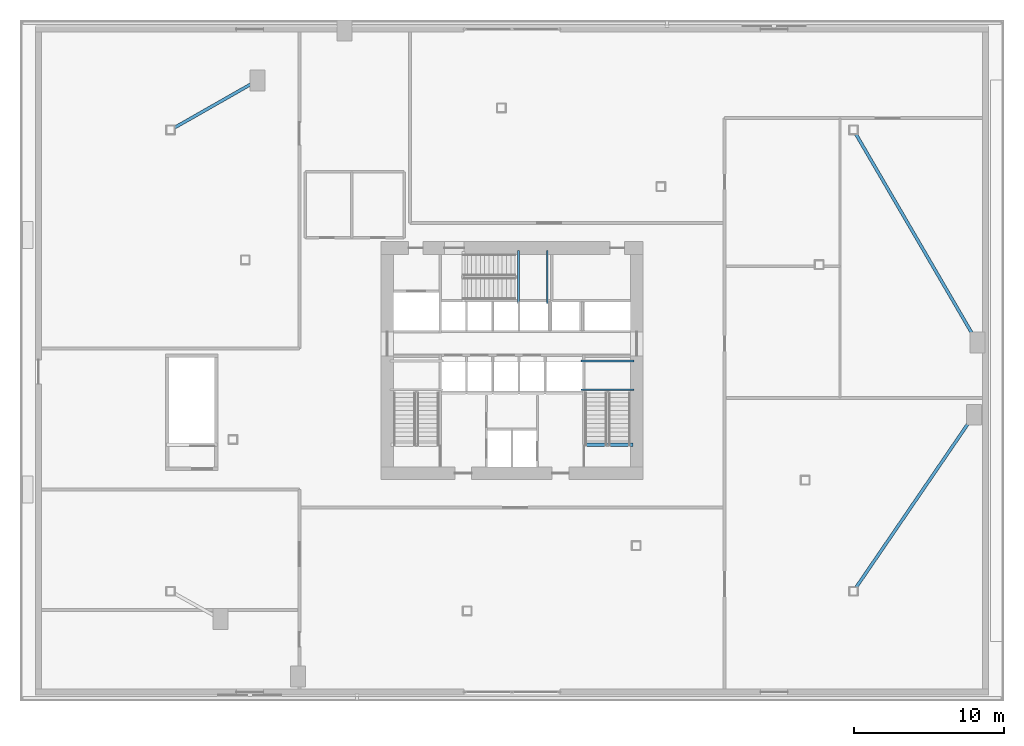
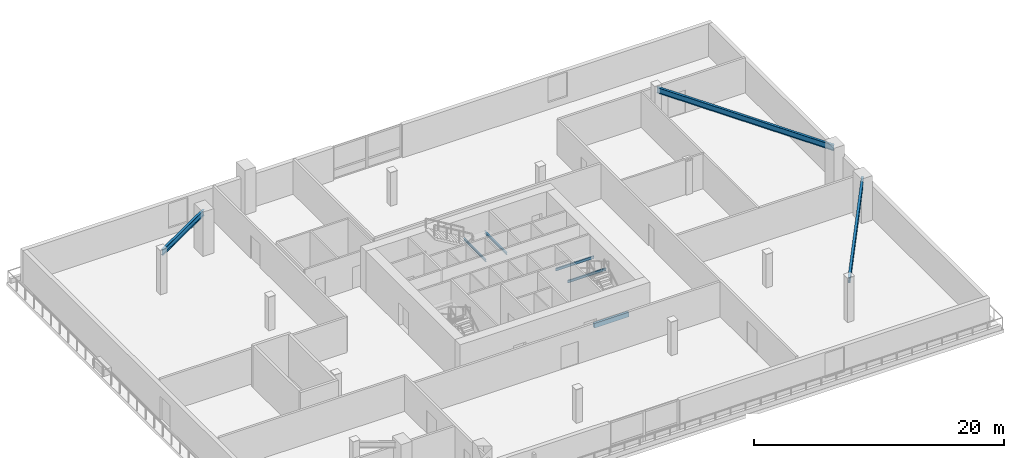
# One storey, part 5 of 16: 8 beams.
"""IFC4 building model written with IfcOpenShell, lengths in metres."""

from ifc_helpers import new_model, si_unit, direction, frame, origin, origin_2d, place, context, subcontext, project, spatial, rectangle, i_section, extrude, source, transform, mapped, material, material_profile, profile_set, type_object, element, save


model = new_model("IFC4")

# Units and contexts
model_context = context("Model", 3, precision=1e-05, world=origin(), true_north=direction((0.0, 1.0)))
body_context = subcontext(model_context, "Body", "Model", "MODEL_VIEW")
ifc_project = project(units=[si_unit("LENGTHUNIT", "METRE"), si_unit("AREAUNIT", "SQUARE_METRE"), si_unit("VOLUMEUNIT", "CUBIC_METRE"), si_unit("PLANEANGLEUNIT", "RADIAN"), si_unit("MASSUNIT", "GRAM", prefix="KILO")], contexts=[model_context])

# Site, building, storey
site_placement = place(None, origin())
site = spatial("IfcSite", under=ifc_project, at=site_placement, CompositionType="ELEMENT")
building_placement = place(site_placement, origin())
building = spatial("IfcBuilding", under=site, at=building_placement, Name="Olszyna Solenne Hotel", CompositionType="ELEMENT")
storey_placement = place(building_placement, frame((0.0, 0.0, 20.10009765625)))
storey = spatial("IfcBuildingStorey", under=building, at=storey_placement, Name="L04", CompositionType="ELEMENT", Elevation=20.10009765625)

# Beams
ifc_material_1 = material(Name="Steel S355J2", Category="steel")
ifc_material_profile_1 = material_profile(ifc_material_1, i_section(OverallWidth=0.2099609375, OverallDepth=0.550048828125, WebThickness=0.010986328125, FlangeThickness=0.01708984375, at=origin_2d()), Name="IPE 550", Category="load-bearing")
ifc_profile_set_1 = profile_set([ifc_material_profile_1], Name="Steel S355J2")
beam_type_1 = type_object("IfcBeamType", Name="BM-F2", PredefinedType="BEAM", material=ifc_profile_set_1)
shared_shape_1 = source(origin(), body_context, "Body", "SweptSolid", [
    extrude(i_section(OverallWidth=0.2099609375, OverallDepth=0.550048828125, WebThickness=0.010986328125, FlangeThickness=0.01708984375, at=origin_2d()), origin(), (0.0, 0.0, 1.0), 14.1162109375),
])
beam_1_placement = place(storey_placement, frame((60.84521484375, 11.26611328125, 3.804931640625), z_axis=(0.564440227012, 0.825473942733, 0.0), x_axis=(-0.825473942733, 0.564440227012, 0.0)))
element("IfcBeam", 1, at=beam_1_placement, inside=storey, type_object=beam_type_1, Name="Podium terrace girder BM-F2 B-L04-0143", PredefinedType="BEAM", context=body_context, shape_type="MappedRepresentation", body=[
    mapped(shared_shape_1, transform((0.0, 0.0, 0.0), x_axis=(1.0, 0.0, 0.0), y_axis=(0.0, 1.0, 0.0), z_axis=(0.0, 0.0, 1.0), scale=1.0)),
])
shared_shape_2 = source(origin(), body_context, "Body", "SweptSolid", [
    extrude(i_section(OverallWidth=0.2099609375, OverallDepth=0.550048828125, WebThickness=0.010986328125, FlangeThickness=0.01708984375, at=origin_2d()), origin(), (0.0, 0.0, 1.0), 16.271484375),
])
beam_2_placement = place(storey_placement, frame((60.84033203125, 41.930908203125, 3.804931640625), z_axis=(0.503453956375, -0.864022056322, 0.0), x_axis=(0.864022056322, 0.503453956375, 0.0)))
element("IfcBeam", 2, at=beam_2_placement, inside=storey, type_object=beam_type_1, Name="Podium terrace girder BM-F2 B-L04-0144", PredefinedType="BEAM", context=body_context, shape_type="MappedRepresentation", body=[
    mapped(shared_shape_2, transform((0.0, 0.0, 0.0), x_axis=(1.0, 0.0, 0.0), y_axis=(0.0, 1.0, 0.0), z_axis=(0.0, 0.0, 1.0), scale=1.0)),
])
shared_shape_3 = source(origin(), body_context, "Body", "SweptSolid", [
    extrude(i_section(OverallWidth=0.2099609375, OverallDepth=0.550048828125, WebThickness=0.010986328125, FlangeThickness=0.01708984375, at=origin_2d()), origin(), (0.0, 0.0, 1.0), 6.5302734375),
])
beam_3_placement = place(storey_placement, frame((15.26953125, 42.03955078125, 3.804931640625), z_axis=(0.869086244162, 0.494660590919, 0.0), x_axis=(-0.494660590919, 0.869086244162, 0.0)))
element("IfcBeam", 3, at=beam_3_placement, inside=storey, type_object=beam_type_1, Name="Podium terrace girder BM-F2 B-L04-0142", PredefinedType="BEAM", context=body_context, shape_type="MappedRepresentation", body=[
    mapped(shared_shape_3, transform((0.0, 0.0, 0.0), x_axis=(1.0, 0.0, 0.0), y_axis=(0.0, 1.0, 0.0), z_axis=(0.0, 0.0, 1.0), scale=1.0)),
])
ifc_material_profile_2 = material_profile(ifc_material_1, i_section(OverallWidth=0.1201171875, OverallDepth=0.239990234375, WebThickness=0.006103515625, FlangeThickness=0.009765625, at=origin_2d()), Name="IPE 240", Category="load-bearing")
ifc_profile_set_2 = profile_set([ifc_material_profile_2], Name="Steel S355J2")
beam_type_2 = type_object("IfcBeamType", Name="JS-03", PredefinedType="JOIST", material=ifc_profile_set_2)
shared_shape_4 = source(origin(), body_context, "Body", "SweptSolid", [
    extrude(i_section(OverallWidth=0.1201171875, OverallDepth=0.239990234375, WebThickness=0.006103515625, FlangeThickness=0.009765625, at=origin_2d()), origin(), (0.0, 0.0, 1.0), 3.539794921875),
])
for number, where, z_axis, x_axis, name in (
    (4, (46.159912109375, 24.64990234375, 1.9248046875), (-1.0, 0.0, 0.0), (0.0, -1.0, 0.0), "Stair landing support beam JS-03 SLB-ST2-0253"),
    (5, (46.159912109375, 26.580078125, 1.9248046875), (-1.0, 0.0, 0.0), (0.0, -1.0, 0.0), "Stair landing support beam JS-03 SLB-ST2-0254"),
):
    element("IfcBeam", number, at=place(storey_placement, frame(where, z_axis=z_axis, x_axis=x_axis)), inside=storey, type_object=beam_type_2, Name=name, PredefinedType="JOIST", context=body_context, shape_type="MappedRepresentation", body=[
        mapped(shared_shape_4, transform((0.0, 0.0, 0.0), x_axis=(1.0, 0.0, 0.0), y_axis=(0.0, 1.0, 0.0), z_axis=(0.0, 0.0, 1.0), scale=1.0)),
    ])
ifc_material_2 = material(Name="Concrete C50/60", Category="concrete")
ifc_material_profile_3 = material_profile(ifc_material_2, rectangle(XDim=0.219970703125, YDim=0.43994140625, at=origin_2d()), Name="RC 220x440", Category="load-bearing")
ifc_profile_set_3 = profile_set([ifc_material_profile_3], Name="Concrete C50/60")
beam_type_3 = type_object("IfcBeamType", Name="BM-ST1", PredefinedType="BEAM", material=ifc_profile_set_3)
shared_shape_5 = source(origin(), body_context, "Body", "SweptSolid", [
    extrude(rectangle(XDim=0.219970703125, YDim=0.43994140625, at=origin_2d()), origin(), (0.0, 0.0, 1.0), 3.18017578125),
])
beam_4_placement = place(storey_placement, frame((46.080078125, 20.97998046875, -0.205078125), z_axis=(-1.0, 0.0, 0.0), x_axis=(0.0, -1.0, 0.0)))
element("IfcBeam", 6, at=beam_4_placement, inside=storey, type_object=beam_type_3, Name="Concrete stair trimmer beam BM-ST1 SHB-ST2-0406", PredefinedType="BEAM", context=body_context, shape_type="MappedRepresentation", body=[
    mapped(shared_shape_5, transform((0.0, 0.0, 0.0), x_axis=(1.0, 0.0, 0.0), y_axis=(0.0, 1.0, 0.0), z_axis=(0.0, 0.0, 1.0), scale=1.0)),
])
shared_shape_6 = source(origin(), body_context, "Body", "SweptSolid", [
    extrude(i_section(OverallWidth=0.1201171875, OverallDepth=0.239990234375, WebThickness=0.006103515625, FlangeThickness=0.009765625, at=origin_2d()), origin(), (0.0, 0.0, 1.0), 3.5400390625),
])
for number, where, z_axis, x_axis, name in (
    (7, (38.429931640625, 30.419921875, 1.9248046875), (0.0, 1.0, 0.0), (-1.0, 0.0, 0.0), "Stair landing support beam JS-03 SLB-ST3-0493"),
    (8, (40.360107421875, 30.419921875, 1.9248046875), (0.0, 1.0, 0.0), (-1.0, 0.0, 0.0), "Stair landing support beam JS-03 SLB-ST3-0494"),
):
    element("IfcBeam", number, at=place(storey_placement, frame(where, z_axis=z_axis, x_axis=x_axis)), inside=storey, type_object=beam_type_2, Name=name, PredefinedType="JOIST", context=body_context, shape_type="MappedRepresentation", body=[
        mapped(shared_shape_6, transform((0.0, 0.0, 0.0), x_axis=(1.0, 0.0, 0.0), y_axis=(0.0, 1.0, 0.0), z_axis=(0.0, 0.0, 1.0), scale=1.0)),
    ])

save(model, "model.ifc")
